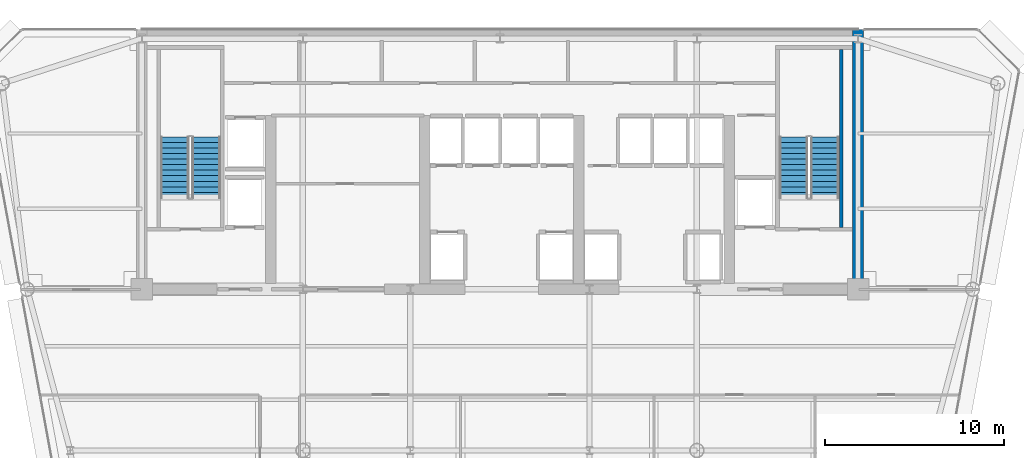
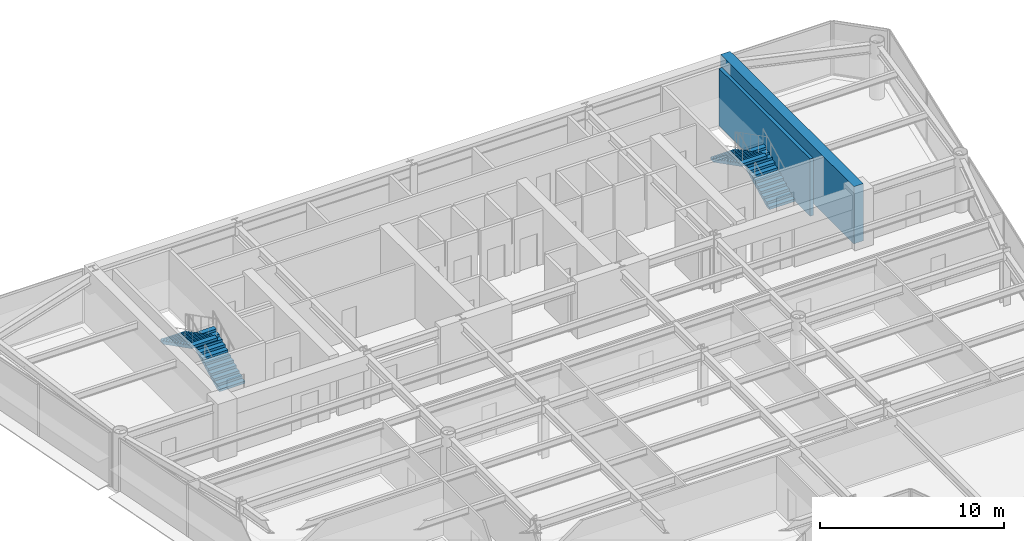
# One storey, part 12 of 16: 4 stair flights, 2 walls, 2 elements without a shape of their own.
"""IFC4 building model written with IfcOpenShell, lengths in metres."""

from ifc_helpers import new_model, si_unit, direction, frame, frame_2d, origin, place, context, subcontext, project, spatial, polyline, rectangle, outline, extrude, material, layer, layer_set, type_object, element, aggregate, save


model = new_model("IFC4")

# Units and contexts
model_context = context("Model", 3, precision=1e-05, world=origin(), true_north=direction((0.0, 1.0)))
body_context = subcontext(model_context, "Body", "Model", "MODEL_VIEW")
ifc_project = project(units=[si_unit("LENGTHUNIT", "METRE"), si_unit("AREAUNIT", "SQUARE_METRE"), si_unit("VOLUMEUNIT", "CUBIC_METRE"), si_unit("PLANEANGLEUNIT", "RADIAN"), si_unit("MASSUNIT", "GRAM", prefix="KILO")], contexts=[model_context])

# Site, building, storey
site_placement = place(None, origin())
site = spatial("IfcSite", under=ifc_project, at=site_placement, CompositionType="ELEMENT")
building_placement = place(site_placement, origin())
building = spatial("IfcBuilding", under=site, at=building_placement, Name="Vaeldorn Concourse Tower", CompositionType="ELEMENT")
storey_placement = place(building_placement, frame((0.0, 0.0, 188.0)))
storey = spatial("IfcBuildingStorey", under=building, at=storey_placement, Name="L48", CompositionType="ELEMENT", Elevation=188.0)

# Walls
ifc_material_1 = material(Name="Concrete C50/60", Category="concrete")
ifc_layer_1 = layer(ifc_material_1, 0.60009765625)
ifc_layer_set_1 = layer_set([ifc_layer_1], Name="Concrete C50/60")
wall_type_1 = type_object("IfcWallType", Name="WL-CORE-600", PredefinedType="SHEAR", material=ifc_layer_set_1)
wall_1_placement = place(storey_placement, frame((54.0, 36.5, 0.0), z_axis=(0.0, 0.0, 1.0), x_axis=(0.0, 1.0, 0.0)))
element("IfcWall", 1, at=wall_1_placement, inside=storey, type_object=wall_type_1, Name="Rear Core Shear Wall L48 E1", PredefinedType="SHEAR", context=body_context, shape_type="SweptSolid", body=[
    extrude(rectangle(XDim=14.5, YDim=0.60009765625, at=frame_2d((7.25, 0.0))), origin(), (0.0, 0.0, 1.0), 3.800048828125),
])
ifc_layer_2 = layer(ifc_material_1, 0.199951171875)
ifc_layer_set_2 = layer_set([ifc_layer_2], Name="Concrete C50/60")
wall_type_2 = type_object("IfcWallType", Name="WL-SHAFT-200", PredefinedType="SOLIDWALL", material=ifc_layer_set_2)
wall_2_placement = place(storey_placement, frame((53.050048828125, 39.9599609375, 0.0), z_axis=(0.0, 0.0, 1.0), x_axis=(0.0, 1.0, 0.0)))
element("IfcWall", 2, at=wall_2_placement, inside=storey, type_object=wall_type_2, Name="Stair Shaft Wall CW-L48-ST-2-E", PredefinedType="SOLIDWALL", context=body_context, shape_type="SweptSolid", body=[
    extrude(rectangle(XDim=9.929931640625, YDim=0.199951171875, at=frame_2d((4.96484375, 0.0))), origin(), (0.0, 0.0, 1.0), 3.800048828125),
])

# Stair, stair flights
ifc_material_2 = material(Name="Precast concrete C40/50", Category="concrete")
stair_type = type_object("IfcStairType", Name="STR-DOG-24x158", PredefinedType="HALF_TURN_STAIR", material=ifc_material_2)
stair_1_placement = place(storey_placement, origin())
stair_1 = element("IfcStair", 3, at=stair_1_placement, inside=storey, type_object=stair_type, Name="L48 West Core Exit Stair ST-1", PredefinedType="HALF_TURN_STAIR")
stair_flight_type = type_object("IfcStairFlightType", Name="STF-STR-12x158", PredefinedType="STRAIGHT", material=ifc_material_2)
stair_flight_1_placement = place(storey_placement, frame((17.60009765625, 41.60009765625, 0.0), z_axis=(0.0, 0.0, 1.0), x_axis=(0.0, 1.0, 0.0)))
stair_flight_1 = element("IfcStairFlight", 4, at=stair_flight_1_placement, type_object=stair_flight_type, Name="ST-1 flight 1", NumberOfRisers=12, NumberOfTreads=11, PredefinedType="STRAIGHT", RiserHeight=0.158333333, TreadLength=0.31, context=body_context, shape_type="SweptSolid", body=[
    extrude(outline(polyline([(0.0, 0.0), (0.0, 0.158447265625), (0.31005859375, 0.158447265625), (0.31005859375, 0.316650390625), (0.6201171875, 0.316650390625), (0.6201171875, 0.47509765625), (0.929931640625, 0.47509765625), (0.929931640625, 0.63330078125), (1.239990234375, 0.63330078125), (1.239990234375, 0.791748046875), (1.550048828125, 0.791748046875), (1.550048828125, 0.949951171875), (1.860107421875, 0.949951171875), (1.860107421875, 1.1083984375), (2.169921875, 1.1083984375), (2.169921875, 1.2666015625), (2.47998046875, 1.2666015625), (2.47998046875, 1.425048828125), (2.7900390625, 1.425048828125), (2.7900390625, 1.583251953125), (3.10009765625, 1.583251953125), (3.10009765625, 1.74169921875), (3.409912109375, 1.74169921875), (3.409912109375, 1.89990234375), (3.409912109375, 1.5732421875), (0.32958984375, 0.0), (0.0, 0.0)])), frame((0.0, 0.800048828125, 0.0), z_axis=(0.0, -1.0, 0.0), x_axis=(1.0, 0.0, 0.0)), (0.0, 0.0, 1.0), 1.60009765625),
])
stair_flight_2_placement = place(storey_placement, frame((15.85009765625, 45.010009765625, 1.89990234375), z_axis=(0.0, 0.0, 1.0), x_axis=(0.0, -1.0, 0.0)))
stair_flight_2 = element("IfcStairFlight", 5, at=stair_flight_2_placement, type_object=stair_flight_type, Name="ST-1 flight 2", NumberOfRisers=12, NumberOfTreads=11, PredefinedType="STRAIGHT", RiserHeight=0.158333333, TreadLength=0.31, context=body_context, shape_type="SweptSolid", body=[
    extrude(outline(polyline([(0.0, 0.0), (0.0, 0.158447265625), (0.31005859375, 0.158447265625), (0.31005859375, 0.316650390625), (0.6201171875, 0.316650390625), (0.6201171875, 0.47509765625), (0.929931640625, 0.47509765625), (0.929931640625, 0.63330078125), (1.239990234375, 0.63330078125), (1.239990234375, 0.791748046875), (1.550048828125, 0.791748046875), (1.550048828125, 0.949951171875), (1.860107421875, 0.949951171875), (1.860107421875, 1.1083984375), (2.169921875, 1.1083984375), (2.169921875, 1.2666015625), (2.47998046875, 1.2666015625), (2.47998046875, 1.425048828125), (2.7900390625, 1.425048828125), (2.7900390625, 1.583251953125), (3.10009765625, 1.583251953125), (3.10009765625, 1.74169921875), (3.409912109375, 1.74169921875), (3.409912109375, 1.89990234375), (3.409912109375, 1.5732421875), (0.32958984375, 0.0), (0.0, 0.0)])), frame((0.0, 0.800048828125, 0.0), z_axis=(0.0, -1.0, 0.0), x_axis=(1.0, 0.0, 0.0)), (0.0, 0.0, 1.0), 1.60009765625),
])
aggregate(stair_1, [stair_flight_1, stair_flight_2])

stair_2_placement = place(storey_placement, origin())
stair_2 = element("IfcStair", 6, at=stair_2_placement, inside=storey, type_object=stair_type, Name="L48 East Core Exit Stair ST-2", PredefinedType="HALF_TURN_STAIR")
stair_flight_3_placement = place(storey_placement, frame((52.14990234375, 41.60009765625, 0.0), z_axis=(0.0, 0.0, 1.0), x_axis=(0.0, 1.0, 0.0)))
stair_flight_3 = element("IfcStairFlight", 7, at=stair_flight_3_placement, type_object=stair_flight_type, Name="ST-2 flight 1", NumberOfRisers=12, NumberOfTreads=11, PredefinedType="STRAIGHT", RiserHeight=0.158333333, TreadLength=0.31, context=body_context, shape_type="SweptSolid", body=[
    extrude(outline(polyline([(0.0, 0.0), (0.0, 0.158447265625), (0.31005859375, 0.158447265625), (0.31005859375, 0.316650390625), (0.6201171875, 0.316650390625), (0.6201171875, 0.47509765625), (0.929931640625, 0.47509765625), (0.929931640625, 0.63330078125), (1.239990234375, 0.63330078125), (1.239990234375, 0.791748046875), (1.550048828125, 0.791748046875), (1.550048828125, 0.949951171875), (1.860107421875, 0.949951171875), (1.860107421875, 1.1083984375), (2.169921875, 1.1083984375), (2.169921875, 1.2666015625), (2.47998046875, 1.2666015625), (2.47998046875, 1.425048828125), (2.7900390625, 1.425048828125), (2.7900390625, 1.583251953125), (3.10009765625, 1.583251953125), (3.10009765625, 1.74169921875), (3.409912109375, 1.74169921875), (3.409912109375, 1.89990234375), (3.409912109375, 1.5732421875), (0.32958984375, 0.0), (0.0, 0.0)])), frame((0.0, 0.800048828125, 0.0), z_axis=(0.0, -1.0, 0.0), x_axis=(1.0, 0.0, 0.0)), (0.0, 0.0, 1.0), 1.60009765625),
])
stair_flight_4_placement = place(storey_placement, frame((50.39990234375, 45.010009765625, 1.89990234375), z_axis=(0.0, 0.0, 1.0), x_axis=(0.0, -1.0, 0.0)))
stair_flight_4 = element("IfcStairFlight", 8, at=stair_flight_4_placement, type_object=stair_flight_type, Name="ST-2 flight 2", NumberOfRisers=12, NumberOfTreads=11, PredefinedType="STRAIGHT", RiserHeight=0.158333333, TreadLength=0.31, context=body_context, shape_type="SweptSolid", body=[
    extrude(outline(polyline([(0.0, 0.0), (0.0, 0.158447265625), (0.31005859375, 0.158447265625), (0.31005859375, 0.316650390625), (0.6201171875, 0.316650390625), (0.6201171875, 0.47509765625), (0.929931640625, 0.47509765625), (0.929931640625, 0.63330078125), (1.239990234375, 0.63330078125), (1.239990234375, 0.791748046875), (1.550048828125, 0.791748046875), (1.550048828125, 0.949951171875), (1.860107421875, 0.949951171875), (1.860107421875, 1.1083984375), (2.169921875, 1.1083984375), (2.169921875, 1.2666015625), (2.47998046875, 1.2666015625), (2.47998046875, 1.425048828125), (2.7900390625, 1.425048828125), (2.7900390625, 1.583251953125), (3.10009765625, 1.583251953125), (3.10009765625, 1.74169921875), (3.409912109375, 1.74169921875), (3.409912109375, 1.89990234375), (3.409912109375, 1.5732421875), (0.32958984375, 0.0), (0.0, 0.0)])), frame((0.0, 0.800048828125, 0.0), z_axis=(0.0, -1.0, 0.0), x_axis=(1.0, 0.0, 0.0)), (0.0, 0.0, 1.0), 1.60009765625),
])
aggregate(stair_2, [stair_flight_3, stair_flight_4])

save(model, "model.ifc")
